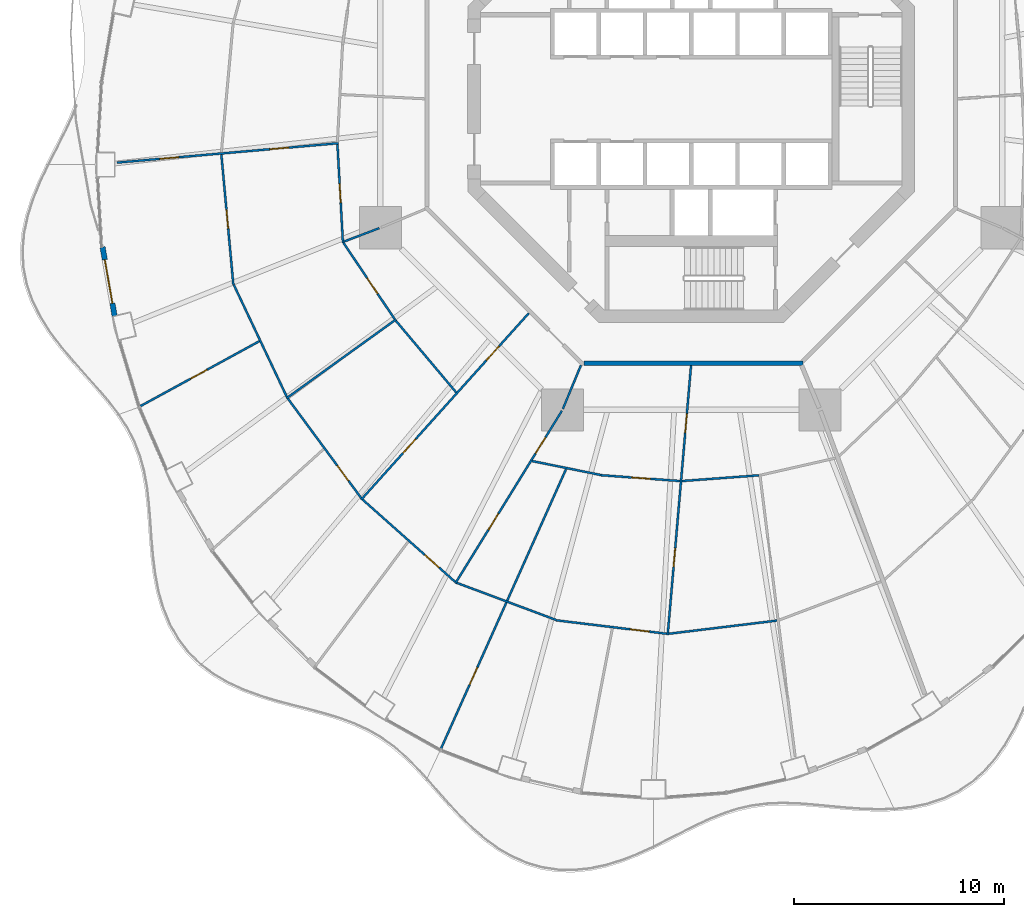
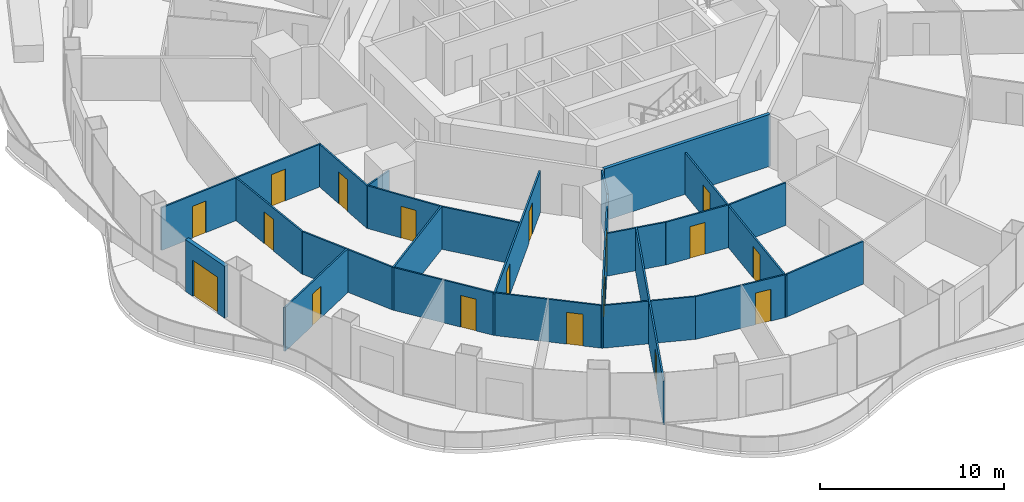
# One storey, part 12 of 20: 24 walls, 18 doors, 18 openings.
"""IFC4 building model written with IfcOpenShell, lengths in metres."""

from ifc_helpers import new_model, si_unit, direction, frame, frame_2d, origin, place, context, subcontext, project, spatial, rectangle, extrude, material, layer, layer_set, type_object, element, fill, save


model = new_model("IFC4")

# Units and contexts
model_context = context("Model", 3, precision=1e-05, world=origin(), true_north=direction((0.0, 1.0)))
body_context = subcontext(model_context, "Body", "Model", "MODEL_VIEW")
ifc_project = project(units=[si_unit("LENGTHUNIT", "METRE"), si_unit("AREAUNIT", "SQUARE_METRE"), si_unit("VOLUMEUNIT", "CUBIC_METRE"), si_unit("PLANEANGLEUNIT", "RADIAN"), si_unit("MASSUNIT", "GRAM", prefix="KILO")], contexts=[model_context])

# Site, building, storey
site_placement = place(None, origin())
site = spatial("IfcSite", under=ifc_project, at=site_placement, CompositionType="ELEMENT")
building_placement = place(site_placement, origin())
building = spatial("IfcBuilding", under=site, at=building_placement, Name="Nagisa Residences", CompositionType="ELEMENT")
storey_placement = place(building_placement, frame((0.0, 0.0, 119.60009765625)))
storey = spatial("IfcBuildingStorey", under=building, at=storey_placement, Name="L29", CompositionType="ELEMENT", Elevation=119.60009765625)

# Wall
ifc_material_1 = material(Name="Gypsum board on steel studs", Category="steel")
ifc_layer_1 = layer(ifc_material_1, 0.199951171875)
ifc_layer_set_1 = layer_set([ifc_layer_1], Name="Apartment entry wall EI60 200")
wall_type_1 = type_object("IfcWallType", Name="Apartment entry wall EI60 200", PredefinedType="PARTITIONING", material=ifc_layer_set_1)
wall_1_placement = place(storey_placement, frame((-5.1044921875, -12.564697265625, 0.0), z_axis=(0.0, 0.0, 1.0), x_axis=(1.0, 0.0, 0.0)))
element("IfcWall", 1, at=wall_1_placement, inside=storey, type_object=wall_type_1, Name="wall:L29:u12", PredefinedType="PARTITIONING", context=body_context, shape_type="SweptSolid", body=[
    extrude(rectangle(XDim=10.408935546875, YDim=0.199951171875, at=frame_2d((5.20458984375, 0.0))), origin(), (0.0, 0.0, 1.0), 3.43994140625),
])

# Wall, openings, doors
ifc_material_2 = material(Name="Gypsum board on steel studs", Category="steel")
ifc_layer_2 = layer(ifc_material_2, 0.10009765625)
ifc_layer_set_2 = layer_set([ifc_layer_2], Name="Apartment partition 100")
wall_type_2 = type_object("IfcWallType", Name="Apartment partition 100", PredefinedType="PARTITIONING", material=ifc_layer_set_2)
wall_2_placement = place(storey_placement, frame((-16.77294921875, -2.103759765625, 0.0), z_axis=(0.0, 0.0, 1.0), x_axis=(-0.996176206701, -0.087366842701, 0.0)))
wall_2 = element("IfcWall", 2, at=wall_2_placement, inside=storey, type_object=wall_type_2, Name="wall:L29:u57", PredefinedType="PARTITIONING", context=body_context, shape_type="SweptSolid", body=[
    extrude(rectangle(XDim=10.56005859375, YDim=0.10009765625, at=frame_2d((5.280029296875, 0.0))), origin(), (0.0, 0.0, 1.0), 2.827880859375),
])
opening_1_placement = place(wall_2_placement, frame((2.370361328125, 0.0, 0.0)))
opening_1 = element("IfcOpeningElement", 3, at=opening_1_placement, cuts=wall_2, Name="Opening L29-U32", PredefinedType="OPENING", context=body_context, shape_type="SweptSolid", body=[
    extrude(rectangle(XDim=0.89990234375, YDim=2.10009765625, at=frame_2d((0.449951171875, 1.050048828125))), frame((0.0, 0.06005859375, 0.0), z_axis=(0.0, -1.0, 0.0), x_axis=(1.0, 0.0, 0.0)), (0.0, 0.0, 1.0), 0.1201171875),
])
opening_2_placement = place(wall_2_placement, frame((7.62548828125, 0.0, 0.0)))
opening_2 = element("IfcOpeningElement", 4, at=opening_2_placement, cuts=wall_2, Name="Opening L29-U33", PredefinedType="OPENING", context=body_context, shape_type="SweptSolid", body=[
    extrude(rectangle(XDim=0.89990234375, YDim=2.10009765625, at=frame_2d((0.449951171875, 1.050048828125))), frame((0.0, 0.06005859375, 0.0), z_axis=(0.0, -1.0, 0.0), x_axis=(1.0, 0.0, 0.0)), (0.0, 0.0, 1.0), 0.1201171875),
])
ifc_material_3 = material(Name="Timber door set", Category="wood")
door_type_1 = type_object("IfcDoorType", Name="Apartment door 900x2100", OperationType="NOTDEFINED", PredefinedType="DOOR", material=ifc_material_3)
door_1_placement = place(opening_1_placement, frame((0.89990234375, 0.0, 0.0), x_axis=(-1.0, 0.0, 0.0)))
door_1 = element("IfcDoor", 5, at=door_1_placement, inside=storey, type_object=door_type_1, Name="Door to dining room, Apartment 29B", OperationType="SINGLE_SWING_LEFT", OverallHeight=2.10009765625, OverallWidth=0.89990234375, PredefinedType="DOOR", context=body_context, shape_type="SweptSolid", body=[
    extrude(rectangle(XDim=0.89990234375, YDim=2.10009765625, at=frame_2d((0.449951171875, 1.050048828125))), frame((0.0, 0.02490234375, 0.0), z_axis=(0.0, -1.0, 0.0), x_axis=(1.0, 0.0, 0.0)), (0.0, 0.0, 1.0), 0.050048828125),
])
fill(opening_1, door_1)
door_2_placement = place(opening_2_placement, frame((0.89990234375, 0.0, 0.0), x_axis=(-1.0, 0.0, 0.0)))
door_2 = element("IfcDoor", 6, at=door_2_placement, inside=storey, type_object=door_type_1, Name="Door to family room, Apartment 29B", OperationType="SINGLE_SWING_RIGHT", OverallHeight=2.10009765625, OverallWidth=0.89990234375, PredefinedType="DOOR", context=body_context, shape_type="SweptSolid", body=[
    extrude(rectangle(XDim=0.89990234375, YDim=2.10009765625, at=frame_2d((0.449951171875, 1.050048828125))), frame((0.0, 0.02490234375, 0.0), z_axis=(0.0, -1.0, 0.0), x_axis=(1.0, 0.0, 0.0)), (0.0, 0.0, 1.0), 0.050048828125),
])
fill(opening_2, door_2)

# Wall, opening, door
wall_3_placement = place(storey_placement, frame((-16.81982421875, -2.158203125, 0.0), z_axis=(0.0, 0.0, 1.0), x_axis=(0.055967931845, -0.998432566879, 0.0)))
wall_3 = element("IfcWall", 7, at=wall_3_placement, inside=storey, type_object=wall_type_2, Name="wall:L29:u58", PredefinedType="PARTITIONING", context=body_context, shape_type="SweptSolid", body=[
    extrude(rectangle(XDim=4.697998046875, YDim=0.10009765625, at=frame_2d((2.34912109375, 0.0))), origin(), (0.0, 0.0, 1.0), 2.827880859375),
])
opening_3_placement = place(wall_3_placement, frame((1.8740234375, 0.0, 0.0)))
opening_3 = element("IfcOpeningElement", 8, at=opening_3_placement, cuts=wall_3, Name="Opening L29-U31", PredefinedType="OPENING", context=body_context, shape_type="SweptSolid", body=[
    extrude(rectangle(XDim=0.89990234375, YDim=2.10009765625, at=frame_2d((0.449951171875, 1.050048828125))), frame((0.0, 0.06005859375, 0.0), z_axis=(0.0, -1.0, 0.0), x_axis=(1.0, 0.0, 0.0)), (0.0, 0.0, 1.0), 0.1201171875),
])
door_3_placement = place(opening_3_placement, origin())
door_3 = element("IfcDoor", 9, at=door_3_placement, inside=storey, type_object=door_type_1, Name="Door to store, Apartment 29B", OperationType="SINGLE_SWING_LEFT", OverallHeight=2.10009765625, OverallWidth=0.89990234375, PredefinedType="DOOR", context=body_context, shape_type="SweptSolid", body=[
    extrude(rectangle(XDim=0.89990234375, YDim=2.10009765625, at=frame_2d((0.449951171875, 1.050048828125))), frame((0.0, 0.02490234375, 0.0), z_axis=(0.0, -1.0, 0.0), x_axis=(1.0, 0.0, 0.0)), (0.0, 0.0, 1.0), 0.050048828125),
])
fill(opening_3, door_3)

wall_4_placement = place(storey_placement, frame((-22.337646484375, -2.64208984375, 0.0), z_axis=(0.0, 0.0, 1.0), x_axis=(0.091768304523, -0.995780386574, 0.0)))
wall_4 = element("IfcWall", 10, at=wall_4_placement, inside=storey, type_object=wall_type_2, Name="wall:L29:u59", PredefinedType="PARTITIONING", context=body_context, shape_type="SweptSolid", body=[
    extrude(rectangle(XDim=6.214599609375, YDim=0.10009765625, at=frame_2d((3.107421875, 0.0))), origin(), (0.0, 0.0, 1.0), 2.827880859375),
])
opening_4_placement = place(wall_4_placement, frame((2.63232421875, 0.0, 0.0)))
opening_4 = element("IfcOpeningElement", 11, at=opening_4_placement, cuts=wall_4, Name="Opening L29-U24", PredefinedType="OPENING", context=body_context, shape_type="SweptSolid", body=[
    extrude(rectangle(XDim=0.89990234375, YDim=2.10009765625, at=frame_2d((0.449951171875, 1.050048828125))), frame((0.0, 0.06005859375, 0.0), z_axis=(0.0, -1.0, 0.0), x_axis=(1.0, 0.0, 0.0)), (0.0, 0.0, 1.0), 0.1201171875),
])
door_4_placement = place(opening_4_placement, frame((0.89990234375, 0.0, 0.0), x_axis=(-1.0, 0.0, 0.0)))
door_4 = element("IfcDoor", 12, at=door_4_placement, inside=storey, type_object=door_type_1, Name="Door to living room, Apartment 29B", OperationType="SINGLE_SWING_LEFT", OverallHeight=2.10009765625, OverallWidth=0.89990234375, PredefinedType="DOOR", context=body_context, shape_type="SweptSolid", body=[
    extrude(rectangle(XDim=0.89990234375, YDim=2.10009765625, at=frame_2d((0.449951171875, 1.050048828125))), frame((0.0, 0.02490234375, 0.0), z_axis=(0.0, -1.0, 0.0), x_axis=(1.0, 0.0, 0.0)), (0.0, 0.0, 1.0), 0.050048828125),
])
fill(opening_4, door_4)

# Wall
wall_5_placement = place(storey_placement, frame((-14.828857421875, -6.140625, 0.0), z_axis=(0.0, 0.0, 1.0), x_axis=(-0.934704367514, -0.355426146128, 0.0)))
element("IfcWall", 13, at=wall_5_placement, inside=storey, type_object=wall_type_2, Name="wall:L29:u61", PredefinedType="PARTITIONING", context=body_context, shape_type="SweptSolid", body=[
    extrude(rectangle(XDim=1.8017578125, YDim=0.10009765625, at=frame_2d((0.90087890625, 0.0))), origin(), (0.0, 0.0, 1.0), 2.827880859375),
])

# Wall, opening, door
wall_6_placement = place(storey_placement, frame((-16.53173828125, -6.84033203125, 0.0), z_axis=(0.0, 0.0, 1.0), x_axis=(0.556994773624, -0.830515997531, 0.0)))
wall_6 = element("IfcWall", 14, at=wall_6_placement, inside=storey, type_object=wall_type_2, Name="wall:L29:u62", PredefinedType="PARTITIONING", context=body_context, shape_type="SweptSolid", body=[
    extrude(rectangle(XDim=4.366455078125, YDim=0.10009765625, at=frame_2d((2.18310546875, 0.0))), origin(), (0.0, 0.0, 1.0), 2.827880859375),
])
opening_5_placement = place(wall_6_placement, frame((2.010009765625, 0.0, 0.0)))
opening_5 = element("IfcOpeningElement", 15, at=opening_5_placement, cuts=wall_6, Name="Opening L29-U18", PredefinedType="OPENING", context=body_context, shape_type="SweptSolid", body=[
    extrude(rectangle(XDim=0.89990234375, YDim=2.10009765625, at=frame_2d((0.449951171875, 1.050048828125))), frame((0.0, 0.06005859375, 0.0), z_axis=(0.0, -1.0, 0.0), x_axis=(1.0, 0.0, 0.0)), (0.0, 0.0, 1.0), 0.1201171875),
])
door_5_placement = place(opening_5_placement, frame((0.89990234375, 0.0, 0.0), x_axis=(-1.0, 0.0, 0.0)))
door_5 = element("IfcDoor", 16, at=door_5_placement, inside=storey, type_object=door_type_1, Name="Door to family room, Apartment 29B", OperationType="SINGLE_SWING_LEFT", OverallHeight=2.10009765625, OverallWidth=0.89990234375, PredefinedType="DOOR", context=body_context, shape_type="SweptSolid", body=[
    extrude(rectangle(XDim=0.89990234375, YDim=2.10009765625, at=frame_2d((0.449951171875, 1.050048828125))), frame((0.0, 0.02490234375, 0.0), z_axis=(0.0, -1.0, 0.0), x_axis=(1.0, 0.0, 0.0)), (0.0, 0.0, 1.0), 0.050048828125),
])
fill(opening_5, door_5)

# Wall
wall_7_placement = place(storey_placement, frame((-21.75048828125, -8.826171875, 0.0), z_axis=(0.0, 0.0, 1.0), x_axis=(0.427739388908, -0.903902104863, 0.0)))
element("IfcWall", 17, at=wall_7_placement, inside=storey, type_object=wall_type_2, Name="wall:L29:u63", PredefinedType="PARTITIONING", context=body_context, shape_type="SweptSolid", body=[
    extrude(rectangle(XDim=5.89892578125, YDim=0.10009765625, at=frame_2d((2.949462890625, 0.0))), origin(), (0.0, 0.0, 1.0), 2.827880859375),
])

# Wall, opening, door
wall_8_placement = place(storey_placement, frame((-20.53271484375, -11.51611328125, 0.0), z_axis=(0.0, 0.0, 1.0), x_axis=(-0.877731656478, -0.479152521872, 0.0)))
wall_8 = element("IfcWall", 18, at=wall_8_placement, inside=storey, type_object=wall_type_2, Name="wall:L29:u64", PredefinedType="PARTITIONING", context=body_context, shape_type="SweptSolid", body=[
    extrude(rectangle(XDim=6.5478515625, YDim=0.10009765625, at=frame_2d((3.27392578125, 0.0))), origin(), (0.0, 0.0, 1.0), 2.90478515625),
])
opening_6_placement = place(wall_8_placement, frame((2.823974609375, 0.0, 0.0)))
opening_6 = element("IfcOpeningElement", 19, at=opening_6_placement, cuts=wall_8, Name="Opening L29-U25", PredefinedType="OPENING", context=body_context, shape_type="SweptSolid", body=[
    extrude(rectangle(XDim=0.89990234375, YDim=2.10009765625, at=frame_2d((0.449951171875, 1.050048828125))), frame((0.0, 0.06005859375, 0.0), z_axis=(0.0, -1.0, 0.0), x_axis=(1.0, 0.0, 0.0)), (0.0, 0.0, 1.0), 0.1201171875),
])
door_6_placement = place(opening_6_placement, origin())
door_6 = element("IfcDoor", 20, at=door_6_placement, inside=storey, type_object=door_type_1, Name="Door to master bedroom, Apartment 29B", OperationType="SINGLE_SWING_LEFT", OverallHeight=2.10009765625, OverallWidth=0.89990234375, PredefinedType="DOOR", context=body_context, shape_type="SweptSolid", body=[
    extrude(rectangle(XDim=0.89990234375, YDim=2.10009765625, at=frame_2d((0.449951171875, 1.050048828125))), frame((0.0, 0.02490234375, 0.0), z_axis=(0.0, -1.0, 0.0), x_axis=(1.0, 0.0, 0.0)), (0.0, 0.0, 1.0), 0.050048828125),
])
fill(opening_6, door_6)

# Walls
wall_9_placement = place(storey_placement, frame((-14.03125, -10.479248046875, 0.0), z_axis=(0.0, 0.0, 1.0), x_axis=(-0.811653955345, -0.584138559567, 0.0)))
element("IfcWall", 21, at=wall_9_placement, inside=storey, type_object=wall_type_2, Name="wall:L29:u65", PredefinedType="PARTITIONING", context=body_context, shape_type="SweptSolid", body=[
    extrude(rectangle(XDim=6.425537109375, YDim=0.10009765625, at=frame_2d((3.212890625, 0.0))), origin(), (0.0, 0.0, 1.0), 2.827880859375),
])
wall_10_placement = place(storey_placement, frame((-14.03955078125, -10.546630859375, 0.0), z_axis=(0.0, 0.0, 1.0), x_axis=(0.644036028289, -0.764995159635, 0.0)))
element("IfcWall", 22, at=wall_10_placement, inside=storey, type_object=wall_type_2, Name="wall:L29:u66", PredefinedType="PARTITIONING", context=body_context, shape_type="SweptSolid", body=[
    extrude(rectangle(XDim=4.448486328125, YDim=0.10009765625, at=frame_2d((2.22412109375, 0.0))), origin(), (0.0, 0.0, 1.0), 2.827880859375),
])

# Wall, opening, door
wall_11_placement = place(storey_placement, frame((-19.17626953125, -14.24365234375, 0.0), z_axis=(0.0, 0.0, 1.0), x_axis=(0.593532053206, -0.80481035146, 0.0)))
wall_11 = element("IfcWall", 23, at=wall_11_placement, inside=storey, type_object=wall_type_2, Name="wall:L29:u67", PredefinedType="PARTITIONING", context=body_context, shape_type="SweptSolid", body=[
    extrude(rectangle(XDim=5.8759765625, YDim=0.10009765625, at=frame_2d((2.93798828125, 0.0))), origin(), (0.0, 0.0, 1.0), 2.827880859375),
])
opening_7_placement = place(wall_11_placement, frame((3.956787109375, 0.0, 0.0)))
opening_7 = element("IfcOpeningElement", 24, at=opening_7_placement, cuts=wall_11, Name="Opening L29-U26", PredefinedType="OPENING", context=body_context, shape_type="SweptSolid", body=[
    extrude(rectangle(XDim=0.89990234375, YDim=2.10009765625, at=frame_2d((0.449951171875, 1.050048828125))), frame((0.0, 0.06005859375, 0.0), z_axis=(0.0, -1.0, 0.0), x_axis=(1.0, 0.0, 0.0)), (0.0, 0.0, 1.0), 0.1201171875),
])
door_7_placement = place(opening_7_placement, frame((0.89990234375, 0.0, 0.0), x_axis=(-1.0, 0.0, 0.0)))
door_7 = element("IfcDoor", 25, at=door_7_placement, inside=storey, type_object=door_type_1, Name="Door to dining room, Apartment 29B", OperationType="SINGLE_SWING_LEFT", OverallHeight=2.10009765625, OverallWidth=0.89990234375, PredefinedType="DOOR", context=body_context, shape_type="SweptSolid", body=[
    extrude(rectangle(XDim=0.89990234375, YDim=2.10009765625, at=frame_2d((0.449951171875, 1.050048828125))), frame((0.0, 0.02490234375, 0.0), z_axis=(0.0, -1.0, 0.0), x_axis=(1.0, 0.0, 0.0)), (0.0, 0.0, 1.0), 0.050048828125),
])
fill(opening_7, door_7)

# Wall, openings, doors
wall_12_placement = place(storey_placement, frame((-7.724853515625, -10.185791015625, 0.0), z_axis=(0.0, 0.0, 1.0), x_axis=(-0.668498346565, -0.743713628112, 0.0)))
wall_12 = element("IfcWall", 26, at=wall_12_placement, inside=storey, type_object=wall_type_2, Name="wall:L29:u69", PredefinedType="PARTITIONING", context=body_context, shape_type="SweptSolid", body=[
    extrude(rectangle(XDim=11.9189453125, YDim=0.10009765625, at=frame_2d((5.95947265625, 0.0))), origin(), (0.0, 0.0, 1.0), 2.755859375),
])
opening_8_placement = place(wall_12_placement, frame((2.106201171875, 0.0, 0.0)))
opening_8 = element("IfcOpeningElement", 27, at=opening_8_placement, cuts=wall_12, Name="Opening L29-U15", PredefinedType="OPENING", context=body_context, shape_type="SweptSolid", body=[
    extrude(rectangle(XDim=0.89990234375, YDim=2.10009765625, at=frame_2d((0.449951171875, 1.050048828125))), frame((0.0, 0.06005859375, 0.0), z_axis=(0.0, -1.0, 0.0), x_axis=(1.0, 0.0, 0.0)), (0.0, 0.0, 1.0), 0.1201171875),
])
opening_9_placement = place(wall_12_placement, frame((8.040771484375, 0.0, 0.0)))
opening_9 = element("IfcOpeningElement", 28, at=opening_9_placement, cuts=wall_12, Name="Opening L29-U19", PredefinedType="OPENING", context=body_context, shape_type="SweptSolid", body=[
    extrude(rectangle(XDim=0.89990234375, YDim=2.10009765625, at=frame_2d((0.449951171875, 1.050048828125))), frame((0.0, 0.06005859375, 0.0), z_axis=(0.0, -1.0, 0.0), x_axis=(1.0, 0.0, 0.0)), (0.0, 0.0, 1.0), 0.1201171875),
])
door_8_placement = place(opening_8_placement, frame((0.89990234375, 0.0, 0.0), x_axis=(-1.0, 0.0, 0.0)))
door_8 = element("IfcDoor", 29, at=door_8_placement, inside=storey, type_object=door_type_1, Name="Door to store, Apartment 29B", OperationType="SINGLE_SWING_RIGHT", OverallHeight=2.10009765625, OverallWidth=0.89990234375, PredefinedType="DOOR", context=body_context, shape_type="SweptSolid", body=[
    extrude(rectangle(XDim=0.89990234375, YDim=2.10009765625, at=frame_2d((0.449951171875, 1.050048828125))), frame((0.0, 0.02490234375, 0.0), z_axis=(0.0, -1.0, 0.0), x_axis=(1.0, 0.0, 0.0)), (0.0, 0.0, 1.0), 0.050048828125),
])
fill(opening_8, door_8)
door_9_placement = place(opening_9_placement, frame((0.89990234375, 0.0, 0.0), x_axis=(-1.0, 0.0, 0.0)))
door_9 = element("IfcDoor", 30, at=door_9_placement, inside=storey, type_object=door_type_1, Name="Door to kitchen, Apartment 29B", OperationType="SINGLE_SWING_RIGHT", OverallHeight=2.10009765625, OverallWidth=0.89990234375, PredefinedType="DOOR", context=body_context, shape_type="SweptSolid", body=[
    extrude(rectangle(XDim=0.89990234375, YDim=2.10009765625, at=frame_2d((0.449951171875, 1.050048828125))), frame((0.0, 0.02490234375, 0.0), z_axis=(0.0, -1.0, 0.0), x_axis=(1.0, 0.0, 0.0)), (0.0, 0.0, 1.0), 0.050048828125),
])
fill(opening_9, door_9)

# Wall, opening, door
wall_13_placement = place(storey_placement, frame((-15.621826171875, -19.046142578125, 0.0), z_axis=(0.0, 0.0, 1.0), x_axis=(0.747342891849, -0.664438561496, 0.0)))
wall_13 = element("IfcWall", 31, at=wall_13_placement, inside=storey, type_object=wall_type_2, Name="wall:L29:u70", PredefinedType="PARTITIONING", context=body_context, shape_type="SweptSolid", body=[
    extrude(rectangle(XDim=5.880859375, YDim=0.10009765625, at=frame_2d((2.9404296875, 0.0))), origin(), (0.0, 0.0, 1.0), 2.827880859375),
])
opening_10_placement = place(wall_13_placement, frame((3.960693359375, 0.0, 0.0)))
opening_10 = element("IfcOpeningElement", 32, at=opening_10_placement, cuts=wall_13, Name="Opening L29-U27", PredefinedType="OPENING", context=body_context, shape_type="SweptSolid", body=[
    extrude(rectangle(XDim=0.89990234375, YDim=2.10009765625, at=frame_2d((0.449951171875, 1.050048828125))), frame((0.0, 0.06005859375, 0.0), z_axis=(0.0, -1.0, 0.0), x_axis=(1.0, 0.0, 0.0)), (0.0, 0.0, 1.0), 0.1201171875),
])
door_10_placement = place(opening_10_placement, frame((0.89990234375, 0.0, 0.0), x_axis=(-1.0, 0.0, 0.0)))
door_10 = element("IfcDoor", 33, at=door_10_placement, inside=storey, type_object=door_type_1, Name="Door to living room, Apartment 29B", OperationType="SINGLE_SWING_RIGHT", OverallHeight=2.10009765625, OverallWidth=0.89990234375, PredefinedType="DOOR", context=body_context, shape_type="SweptSolid", body=[
    extrude(rectangle(XDim=0.89990234375, YDim=2.10009765625, at=frame_2d((0.449951171875, 1.050048828125))), frame((0.0, 0.02490234375, 0.0), z_axis=(0.0, -1.0, 0.0), x_axis=(1.0, 0.0, 0.0)), (0.0, 0.0, 1.0), 0.050048828125),
])
fill(opening_10, door_10)

# Wall
wall_14_placement = place(storey_placement, frame((-5.24267578125, -12.6572265625, 0.0), z_axis=(0.0, 0.0, 1.0), x_axis=(-0.382811769845, -0.923826362943, 0.0)))
element("IfcWall", 34, at=wall_14_placement, inside=storey, type_object=wall_type_2, Name="wall:L29:u72", PredefinedType="PARTITIONING", context=body_context, shape_type="SweptSolid", body=[
    extrude(rectangle(XDim=2.25, YDim=0.10009765625, at=frame_2d((1.125, 0.0))), origin(), (0.0, 0.0, 1.0), 3.43994140625),
])

# Wall, openings, doors
wall_15_placement = place(storey_placement, frame((-6.149169921875, -14.82470703125, 0.0), z_axis=(0.0, 0.0, 1.0), x_axis=(-0.525396393596, -0.850857584791, 0.0)))
wall_15 = element("IfcWall", 35, at=wall_15_placement, inside=storey, type_object=wall_type_2, Name="wall:L29:u73", PredefinedType="PARTITIONING", context=body_context, shape_type="SweptSolid", body=[
    extrude(rectangle(XDim=9.64306640625, YDim=0.10009765625, at=frame_2d((4.821533203125, 0.0))), origin(), (0.0, 0.0, 1.0), 3.43994140625),
])
opening_11_placement = place(wall_15_placement, frame((1.48486328125, 0.0, 0.0)))
opening_11 = element("IfcOpeningElement", 36, at=opening_11_placement, cuts=wall_15, Name="Opening L29-U16", PredefinedType="OPENING", context=body_context, shape_type="SweptSolid", body=[
    extrude(rectangle(XDim=0.89990234375, YDim=2.10009765625, at=frame_2d((0.449951171875, 1.050048828125))), frame((0.0, 0.06005859375, 0.0), z_axis=(0.0, -1.0, 0.0), x_axis=(1.0, 0.0, 0.0)), (0.0, 0.0, 1.0), 0.1201171875),
])
opening_12_placement = place(wall_15_placement, frame((5.743896484375, 0.0, 0.0)))
opening_12 = element("IfcOpeningElement", 37, at=opening_12_placement, cuts=wall_15, Name="Opening L29-U20", PredefinedType="OPENING", context=body_context, shape_type="SweptSolid", body=[
    extrude(rectangle(XDim=0.89990234375, YDim=2.10009765625, at=frame_2d((0.449951171875, 1.050048828125))), frame((0.0, 0.06005859375, 0.0), z_axis=(0.0, -1.0, 0.0), x_axis=(1.0, 0.0, 0.0)), (0.0, 0.0, 1.0), 0.1201171875),
])
door_11_placement = place(opening_11_placement, origin())
door_11 = element("IfcDoor", 38, at=door_11_placement, inside=storey, type_object=door_type_1, Name="Door to laundry, Apartment 29B", OperationType="SINGLE_SWING_RIGHT", OverallHeight=2.10009765625, OverallWidth=0.89990234375, PredefinedType="DOOR", context=body_context, shape_type="SweptSolid", body=[
    extrude(rectangle(XDim=0.89990234375, YDim=2.10009765625, at=frame_2d((0.449951171875, 1.050048828125))), frame((0.0, 0.02490234375, 0.0), z_axis=(0.0, -1.0, 0.0), x_axis=(1.0, 0.0, 0.0)), (0.0, 0.0, 1.0), 0.050048828125),
])
fill(opening_11, door_11)
door_12_placement = place(opening_12_placement, origin())
door_12 = element("IfcDoor", 39, at=door_12_placement, inside=storey, type_object=door_type_1, Name="Door to family bathroom, Apartment 29B", OperationType="SINGLE_SWING_RIGHT", OverallHeight=2.10009765625, OverallWidth=0.89990234375, PredefinedType="DOOR", context=body_context, shape_type="SweptSolid", body=[
    extrude(rectangle(XDim=0.89990234375, YDim=2.10009765625, at=frame_2d((0.449951171875, 1.050048828125))), frame((0.0, 0.02490234375, 0.0), z_axis=(0.0, -1.0, 0.0), x_axis=(1.0, 0.0, 0.0)), (0.0, 0.0, 1.0), 0.050048828125),
])
fill(opening_12, door_12)

# Walls
wall_16_placement = place(storey_placement, frame((-7.568359375, -17.21240234375, 0.0), z_axis=(0.0, 0.0, 1.0), x_axis=(0.979967079473, -0.199159541946, 0.0)))
element("IfcWall", 40, at=wall_16_placement, inside=storey, type_object=wall_type_2, Name="wall:L29:u74", PredefinedType="PARTITIONING", context=body_context, shape_type="SweptSolid", body=[
    extrude(rectangle(XDim=3.3466796875, YDim=0.10009765625, at=frame_2d((1.67333984375, 0.0))), origin(), (0.0, 0.0, 1.0), 2.827880859375),
])
wall_17_placement = place(storey_placement, frame((-11.142578125, -23.00439453125, 0.0), z_axis=(0.0, 0.0, 1.0), x_axis=(0.936721765635, -0.350074754567, 0.0)))
element("IfcWall", 41, at=wall_17_placement, inside=storey, type_object=wall_type_2, Name="wall:L29:u75", PredefinedType="PARTITIONING", context=body_context, shape_type="SweptSolid", body=[
    extrude(rectangle(XDim=5.052734375, YDim=0.10009765625, at=frame_2d((2.5263671875, 0.0))), origin(), (0.0, 0.0, 1.0), 2.827880859375),
])

# Wall, opening, door
wall_18_placement = place(storey_placement, frame((-5.94921875, -17.59130859375, 0.0), z_axis=(0.0, 0.0, 1.0), x_axis=(-0.40838467696, -0.912809923053, 0.0)))
wall_18 = element("IfcWall", 42, at=wall_18_placement, inside=storey, type_object=wall_type_2, Name="wall:L29:u76", PredefinedType="PARTITIONING", context=body_context, shape_type="SweptSolid", body=[
    extrude(rectangle(XDim=14.6650390625, YDim=0.10009765625, at=frame_2d((7.33251953125, 0.0))), origin(), (0.0, 0.0, 1.0), 2.90478515625),
])
opening_13_placement = place(wall_18_placement, frame((10.333984375, 0.0, 0.0)))
opening_13 = element("IfcOpeningElement", 43, at=opening_13_placement, cuts=wall_18, Name="Opening L29-U28", PredefinedType="OPENING", context=body_context, shape_type="SweptSolid", body=[
    extrude(rectangle(XDim=0.89990234375, YDim=2.10009765625, at=frame_2d((0.449951171875, 1.050048828125))), frame((0.0, 0.06005859375, 0.0), z_axis=(0.0, -1.0, 0.0), x_axis=(1.0, 0.0, 0.0)), (0.0, 0.0, 1.0), 0.1201171875),
])
door_13_placement = place(opening_13_placement, origin())
door_13 = element("IfcDoor", 44, at=door_13_placement, inside=storey, type_object=door_type_1, Name="Door to master bedroom, Apartment 29B", OperationType="SINGLE_SWING_RIGHT", OverallHeight=2.10009765625, OverallWidth=0.89990234375, PredefinedType="DOOR", context=body_context, shape_type="SweptSolid", body=[
    extrude(rectangle(XDim=0.89990234375, YDim=2.10009765625, at=frame_2d((0.449951171875, 1.050048828125))), frame((0.0, 0.02490234375, 0.0), z_axis=(0.0, -1.0, 0.0), x_axis=(1.0, 0.0, 0.0)), (0.0, 0.0, 1.0), 0.050048828125),
])
fill(opening_13, door_13)

wall_19_placement = place(storey_placement, frame((-4.289794921875, -17.88525390625, 0.0), z_axis=(0.0, 0.0, 1.0), x_axis=(0.997272353708, -0.073809569363, 0.0)))
wall_19 = element("IfcWall", 45, at=wall_19_placement, inside=storey, type_object=wall_type_2, Name="wall:L29:u77", PredefinedType="PARTITIONING", context=body_context, shape_type="SweptSolid", body=[
    extrude(rectangle(XDim=3.76416015625, YDim=0.10009765625, at=frame_2d((1.882080078125, 0.0))), origin(), (0.0, 0.0, 1.0), 2.827880859375),
])
opening_14_placement = place(wall_19_placement, frame((1.45703125, 0.0, 0.0)))
opening_14 = element("IfcOpeningElement", 46, at=opening_14_placement, cuts=wall_19, Name="Opening L29-U21", PredefinedType="OPENING", context=body_context, shape_type="SweptSolid", body=[
    extrude(rectangle(XDim=0.89990234375, YDim=2.10009765625, at=frame_2d((0.449951171875, 1.050048828125))), frame((0.0, 0.06005859375, 0.0), z_axis=(0.0, -1.0, 0.0), x_axis=(1.0, 0.0, 0.0)), (0.0, 0.0, 1.0), 0.1201171875),
])
door_14_placement = place(opening_14_placement, frame((0.89990234375, 0.0, 0.0), x_axis=(-1.0, 0.0, 0.0)))
door_14 = element("IfcDoor", 47, at=door_14_placement, inside=storey, type_object=door_type_1, Name="Door to family room, Apartment 29B", OperationType="SINGLE_SWING_RIGHT", OverallHeight=2.10009765625, OverallWidth=0.89990234375, PredefinedType="DOOR", context=body_context, shape_type="SweptSolid", body=[
    extrude(rectangle(XDim=0.89990234375, YDim=2.10009765625, at=frame_2d((0.449951171875, 1.050048828125))), frame((0.0, 0.02490234375, 0.0), z_axis=(0.0, -1.0, 0.0), x_axis=(1.0, 0.0, 0.0)), (0.0, 0.0, 1.0), 0.050048828125),
])
fill(opening_14, door_14)

wall_20_placement = place(storey_placement, frame((-6.41259765625, -24.784423828125, 0.0), z_axis=(0.0, 0.0, 1.0), x_axis=(0.992690077723, -0.120691381588, 0.0)))
wall_20 = element("IfcWall", 48, at=wall_20_placement, inside=storey, type_object=wall_type_2, Name="wall:L29:u78", PredefinedType="PARTITIONING", context=body_context, shape_type="SweptSolid", body=[
    extrude(rectangle(XDim=5.28564453125, YDim=0.10009765625, at=frame_2d((2.642822265625, 0.0))), origin(), (0.0, 0.0, 1.0), 2.827880859375),
])
opening_15_placement = place(wall_20_placement, frame((3.5390625, 0.0, 0.0)))
opening_15 = element("IfcOpeningElement", 49, at=opening_15_placement, cuts=wall_20, Name="Opening L29-U29", PredefinedType="OPENING", context=body_context, shape_type="SweptSolid", body=[
    extrude(rectangle(XDim=0.89990234375, YDim=2.10009765625, at=frame_2d((0.449951171875, 1.050048828125))), frame((0.0, 0.06005859375, 0.0), z_axis=(0.0, -1.0, 0.0), x_axis=(1.0, 0.0, 0.0)), (0.0, 0.0, 1.0), 0.1201171875),
])
door_15_placement = place(opening_15_placement, frame((0.89990234375, 0.0, 0.0), x_axis=(-1.0, 0.0, 0.0)))
door_15 = element("IfcDoor", 50, at=door_15_placement, inside=storey, type_object=door_type_1, Name="Door to family room, Apartment 29B", OperationType="SINGLE_SWING_RIGHT", OverallHeight=2.10009765625, OverallWidth=0.89990234375, PredefinedType="DOOR", context=body_context, shape_type="SweptSolid", body=[
    extrude(rectangle(XDim=0.89990234375, YDim=2.10009765625, at=frame_2d((0.449951171875, 1.050048828125))), frame((0.0, 0.02490234375, 0.0), z_axis=(0.0, -1.0, 0.0), x_axis=(1.0, 0.0, 0.0)), (0.0, 0.0, 1.0), 0.050048828125),
])
fill(opening_15, door_15)

# Wall, openings, doors
wall_21_placement = place(storey_placement, frame((-0.008544921875, -12.664306640625, 0.0), z_axis=(0.0, 0.0, 1.0), x_axis=(-0.086441225464, -0.996256952066, 0.0)))
wall_21 = element("IfcWall", 51, at=wall_21_placement, inside=storey, type_object=wall_type_2, Name="wall:L29:u80", PredefinedType="PARTITIONING", context=body_context, shape_type="SweptSolid", body=[
    extrude(rectangle(XDim=12.862060546875, YDim=0.10009765625, at=frame_2d((6.43115234375, 0.0))), origin(), (0.0, 0.0, 1.0), 2.755859375),
])
opening_16_placement = place(wall_21_placement, frame((2.3115234375, 0.0, 0.0)))
opening_16 = element("IfcOpeningElement", 52, at=opening_16_placement, cuts=wall_21, Name="Opening L29-U17", PredefinedType="OPENING", context=body_context, shape_type="SweptSolid", body=[
    extrude(rectangle(XDim=0.89990234375, YDim=2.10009765625, at=frame_2d((0.449951171875, 1.050048828125))), frame((0.0, 0.06005859375, 0.0), z_axis=(0.0, -1.0, 0.0), x_axis=(1.0, 0.0, 0.0)), (0.0, 0.0, 1.0), 0.1201171875),
])
opening_17_placement = place(wall_21_placement, frame((8.717529296875, 0.0, 0.0)))
opening_17 = element("IfcOpeningElement", 53, at=opening_17_placement, cuts=wall_21, Name="Opening L29-U22", PredefinedType="OPENING", context=body_context, shape_type="SweptSolid", body=[
    extrude(rectangle(XDim=0.89990234375, YDim=2.10009765625, at=frame_2d((0.449951171875, 1.050048828125))), frame((0.0, 0.06005859375, 0.0), z_axis=(0.0, -1.0, 0.0), x_axis=(1.0, 0.0, 0.0)), (0.0, 0.0, 1.0), 0.1201171875),
])
door_16_placement = place(opening_16_placement, origin())
door_16 = element("IfcDoor", 54, at=door_16_placement, inside=storey, type_object=door_type_1, Name="Door to store, Apartment 29B", OperationType="SINGLE_SWING_LEFT", OverallHeight=2.10009765625, OverallWidth=0.89990234375, PredefinedType="DOOR", context=body_context, shape_type="SweptSolid", body=[
    extrude(rectangle(XDim=0.89990234375, YDim=2.10009765625, at=frame_2d((0.449951171875, 1.050048828125))), frame((0.0, 0.02490234375, 0.0), z_axis=(0.0, -1.0, 0.0), x_axis=(1.0, 0.0, 0.0)), (0.0, 0.0, 1.0), 0.050048828125),
])
fill(opening_16, door_16)
door_17_placement = place(opening_17_placement, origin())
door_17 = element("IfcDoor", 55, at=door_17_placement, inside=storey, type_object=door_type_1, Name="Door to kitchen, Apartment 29B", OperationType="SINGLE_SWING_RIGHT", OverallHeight=2.10009765625, OverallWidth=0.89990234375, PredefinedType="DOOR", context=body_context, shape_type="SweptSolid", body=[
    extrude(rectangle(XDim=0.89990234375, YDim=2.10009765625, at=frame_2d((0.449951171875, 1.050048828125))), frame((0.0, 0.02490234375, 0.0), z_axis=(0.0, -1.0, 0.0), x_axis=(1.0, 0.0, 0.0)), (0.0, 0.0, 1.0), 0.050048828125),
])
fill(opening_17, door_17)

# Walls
wall_22_placement = place(storey_placement, frame((-0.43603515625, -18.1630859375, 0.0), z_axis=(0.0, 0.0, 1.0), x_axis=(0.997271025958, 0.073827506966, 0.0)))
element("IfcWall", 56, at=wall_22_placement, inside=storey, type_object=wall_type_2, Name="wall:L29:u81", PredefinedType="PARTITIONING", context=body_context, shape_type="SweptSolid", body=[
    extrude(rectangle(XDim=3.6640625, YDim=0.10009765625, at=frame_2d((1.83203125, 0.0))), origin(), (0.0, 0.0, 1.0), 2.827880859375),
])
wall_23_placement = place(storey_placement, frame((-1.06640625, -25.42236328125, 0.0), z_axis=(0.0, 0.0, 1.0), x_axis=(0.992692993044, 0.120667400577, 0.0)))
element("IfcWall", 57, at=wall_23_placement, inside=storey, type_object=wall_type_2, Name="wall:L29:u82", PredefinedType="PARTITIONING", context=body_context, shape_type="SweptSolid", body=[
    extrude(rectangle(XDim=5.185546875, YDim=0.10009765625, at=frame_2d((2.5927734375, 0.0))), origin(), (0.0, 0.0, 1.0), 2.827880859375),
])

# Wall, opening, door
ifc_material_4 = material(Name="Precast concrete C40/50", Category="concrete")
ifc_layer_3 = layer(ifc_material_4, 0.25)
ifc_layer_set_3 = layer_set([ifc_layer_3], Name="BALCONY DOOR WALL 250")
wall_type_3 = type_object("IfcWallType", Name="BALCONY DOOR WALL 250", PredefinedType="SOLIDWALL", material=ifc_layer_set_3)
wall_24_placement = place(storey_placement, frame((-27.4111328125, -10.320068359375, 0.0), z_axis=(0.0, 0.0, 1.0), x_axis=(-0.172163521006, 0.985068384446, 0.0)))
wall_24 = element("IfcWall", 58, at=wall_24_placement, inside=storey, type_object=wall_type_3, Name="wall:L29:bay25", PredefinedType="SOLIDWALL", context=body_context, shape_type="SweptSolid", body=[
    extrude(rectangle(XDim=3.33251953125, YDim=0.25, at=frame_2d((1.666259765625, 0.0))), origin(), (0.0, 0.0, 1.0), 3.43994140625),
])
opening_18_placement = place(wall_24_placement, frame((0.6162109375, 0.0, 0.0)))
opening_18 = element("IfcOpeningElement", 59, at=opening_18_placement, cuts=wall_24, Name="Opening BD-L29-09", PredefinedType="OPENING", context=body_context, shape_type="SweptSolid", body=[
    extrude(rectangle(XDim=2.10009765625, YDim=2.39990234375, at=frame_2d((1.050048828125, 1.199951171875))), frame((0.0, 0.135009765625, 0.0), z_axis=(0.0, -1.0, 0.0), x_axis=(1.0, 0.0, 0.0)), (0.0, 0.0, 1.0), 0.27001953125),
])
ifc_material_5 = material(Name="Aluminium and clear glass", Category="aluminium")
door_type_2 = type_object("IfcDoorType", Name="BALCONY SLIDING DOOR 2100x2400", OperationType="SLIDING_TO_LEFT", PredefinedType="DOOR", material=ifc_material_5)
door_18_placement = place(opening_18_placement, origin())
door_18 = element("IfcDoor", 60, at=door_18_placement, inside=storey, type_object=door_type_2, Name="door:L29:bay25", OperationType="SLIDING_TO_LEFT", OverallHeight=2.39990234375, OverallWidth=2.10009765625, PredefinedType="DOOR", context=body_context, shape_type="SweptSolid", body=[
    extrude(rectangle(XDim=2.10009765625, YDim=2.39990234375, at=frame_2d((1.050048828125, 1.199951171875))), frame((0.0, 0.02490234375, 0.0), z_axis=(0.0, -1.0, 0.0), x_axis=(1.0, 0.0, 0.0)), (0.0, 0.0, 1.0), 0.050048828125),
])
fill(opening_18, door_18)

save(model, "model.ifc")
